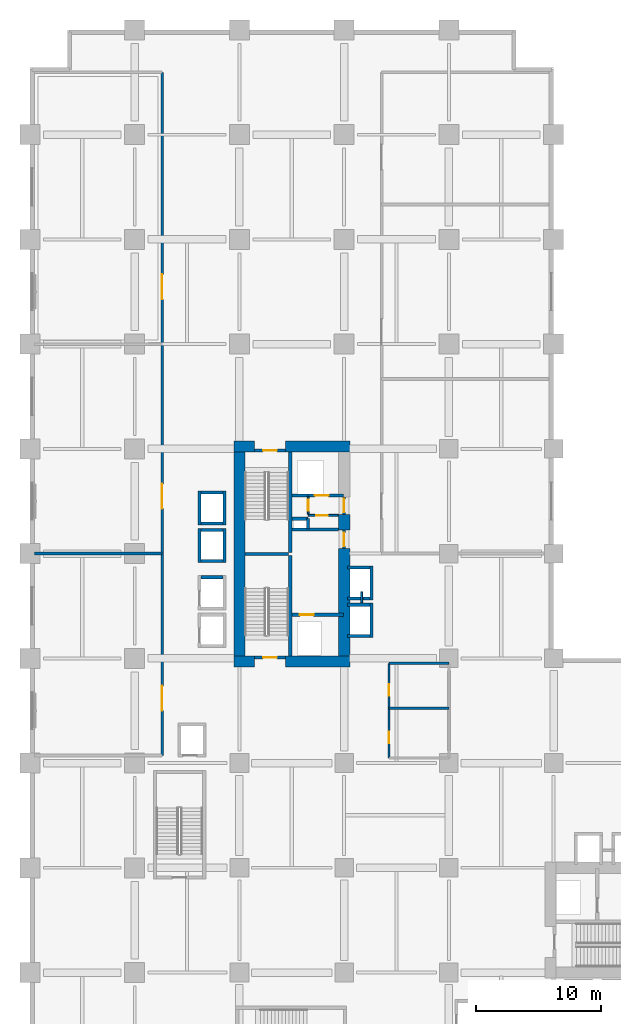
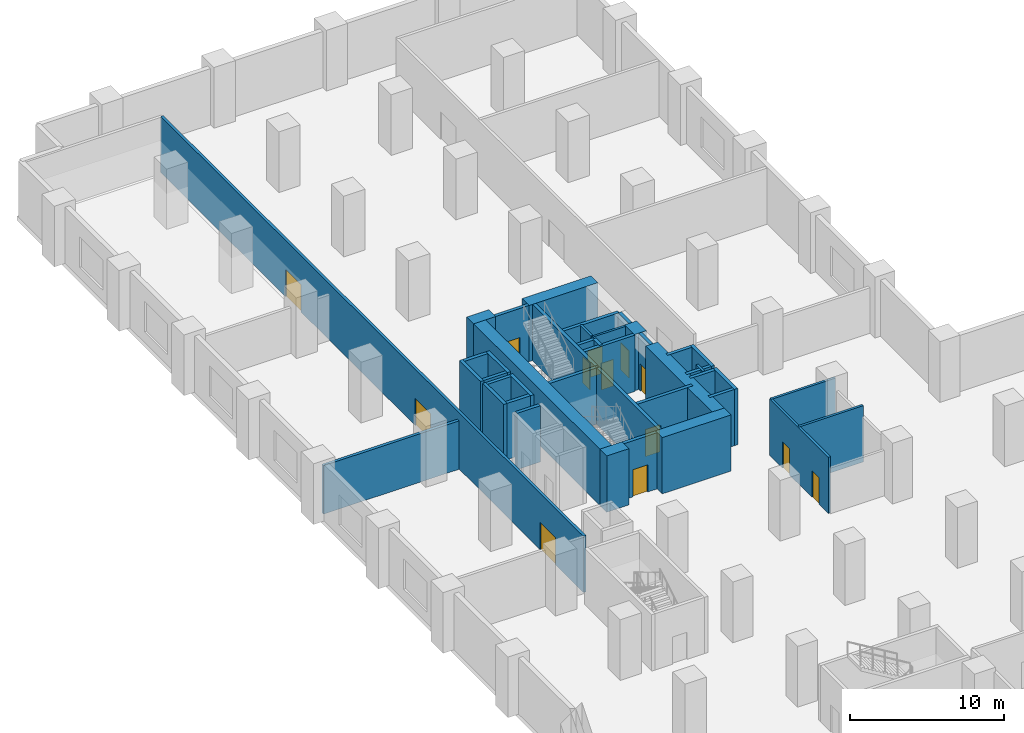
# One storey, part 13 of 22: 42 walls, 13 doors, 13 openings.
"""IFC4 building model written with IfcOpenShell, lengths in metres."""

from ifc_helpers import new_model, si_unit, direction, frame, frame_2d, origin, place, context, subcontext, project, spatial, rectangle, extrude, material, layer, layer_set, type_object, element, fill, save


model = new_model("IFC4")

# Units and contexts
model_context = context("Model", 3, precision=1e-05, world=origin(), true_north=direction((0.0, 1.0)))
body_context = subcontext(model_context, "Body", "Model", "MODEL_VIEW")
ifc_project = project(units=[si_unit("LENGTHUNIT", "METRE"), si_unit("AREAUNIT", "SQUARE_METRE"), si_unit("VOLUMEUNIT", "CUBIC_METRE"), si_unit("PLANEANGLEUNIT", "RADIAN"), si_unit("MASSUNIT", "GRAM", prefix="KILO")], contexts=[model_context])

# Site, building, storey
site_placement = place(None, origin())
site = spatial("IfcSite", under=ifc_project, at=site_placement, CompositionType="ELEMENT")
building_placement = place(site_placement, origin())
building = spatial("IfcBuilding", under=site, at=building_placement, Name="Koriwani Terraces Tower", CompositionType="ELEMENT")
storey_placement = place(building_placement, frame((0.0, 0.0, 6.0)))
storey = spatial("IfcBuildingStorey", under=building, at=storey_placement, Name="L01", CompositionType="ELEMENT", Elevation=6.0)

# Walls
ifc_material_1 = material(Name="Concrete C60/75", Category="concrete")
ifc_layer_1 = layer(ifc_material_1, 0.89990234375, Name="Concrete C60/75")
ifc_layer_set_1 = layer_set([ifc_layer_1], Name="Concrete C60/75")
wall_type_1 = type_object("IfcWallType", Name="WALL_CORE_RC_900", PredefinedType="SHEAR", material=ifc_layer_set_1)
wall_1_placement = place(storey_placement, frame((16.35009765625, 41.75, 0.0), z_axis=(0.0, 0.0, 1.0), x_axis=(1.0, 0.0, 0.0)))
element("IfcWall", 1, at=wall_1_placement, inside=storey, type_object=wall_type_1, Name="L01 West Split Core Shear Wall S1", PredefinedType="SHEAR", context=body_context, shape_type="SweptSolid", body=[
    extrude(rectangle(XDim=1.64990234375, YDim=0.89990234375, at=frame_2d((0.824951171875, 0.0))), origin(), (0.0, 0.0, 1.0), 4.449951171875),
])
wall_2_placement = place(storey_placement, frame((20.5, 41.75, 0.0), z_axis=(0.0, 0.0, 1.0), x_axis=(1.0, 0.0, 0.0)))
element("IfcWall", 2, at=wall_2_placement, inside=storey, type_object=wall_type_1, Name="L01 West Split Core Shear Wall S2", PredefinedType="SHEAR", context=body_context, shape_type="SweptSolid", body=[
    extrude(rectangle(XDim=5.14990234375, YDim=0.89990234375, at=frame_2d((2.574951171875, 0.0))), origin(), (0.0, 0.0, 1.0), 4.449951171875),
])
wall_3_placement = place(storey_placement, frame((16.35009765625, 59.0, 0.0), z_axis=(0.0, 0.0, 1.0), x_axis=(1.0, 0.0, 0.0)))
element("IfcWall", 3, at=wall_3_placement, inside=storey, type_object=wall_type_1, Name="L01 West Split Core Shear Wall N1", PredefinedType="SHEAR", context=body_context, shape_type="SweptSolid", body=[
    extrude(rectangle(XDim=1.64990234375, YDim=0.89990234375, at=frame_2d((0.824951171875, 0.0))), origin(), (0.0, 0.0, 1.0), 4.449951171875),
])
wall_4_placement = place(storey_placement, frame((20.5, 59.0, 0.0), z_axis=(0.0, 0.0, 1.0), x_axis=(1.0, 0.0, 0.0)))
element("IfcWall", 4, at=wall_4_placement, inside=storey, type_object=wall_type_1, Name="L01 West Split Core Shear Wall N2", PredefinedType="SHEAR", context=body_context, shape_type="SweptSolid", body=[
    extrude(rectangle(XDim=5.14990234375, YDim=0.89990234375, at=frame_2d((2.574951171875, 0.0))), origin(), (0.0, 0.0, 1.0), 4.449951171875),
])
wall_5_placement = place(storey_placement, frame((16.800048828125, 42.199951171875, 0.0), z_axis=(0.0, 0.0, 1.0), x_axis=(0.0, 1.0, 0.0)))
element("IfcWall", 5, at=wall_5_placement, inside=storey, type_object=wall_type_1, Name="L01 West Split Core Shear Wall W1", PredefinedType="SHEAR", context=body_context, shape_type="SweptSolid", body=[
    extrude(rectangle(XDim=16.35009765625, YDim=0.89990234375, at=frame_2d((8.175048828125, 0.0))), origin(), (0.0, 0.0, 1.0), 4.449951171875),
])
wall_6_placement = place(storey_placement, frame((25.199951171875, 42.199951171875, 0.0), z_axis=(0.0, 0.0, 1.0), x_axis=(0.0, 1.0, 0.0)))
element("IfcWall", 6, at=wall_6_placement, inside=storey, type_object=wall_type_1, Name="L01 West Split Core Shear Wall E1", PredefinedType="SHEAR", context=body_context, shape_type="SweptSolid", body=[
    extrude(rectangle(XDim=8.60009765625, YDim=0.89990234375, at=frame_2d((4.300048828125, 0.0))), origin(), (0.0, 0.0, 1.0), 4.449951171875),
])
wall_7_placement = place(storey_placement, frame((25.199951171875, 52.280029296875, 0.0), z_axis=(0.0, 0.0, 1.0), x_axis=(0.0, 1.0, 0.0)))
element("IfcWall", 7, at=wall_7_placement, inside=storey, type_object=wall_type_1, Name="L01 West Split Core Shear Wall E2", PredefinedType="SHEAR", context=body_context, shape_type="SweptSolid", body=[
    extrude(rectangle(XDim=1.27001953125, YDim=0.89990234375, at=frame_2d((0.635009765625, 0.0))), origin(), (0.0, 0.0, 1.0), 4.449951171875),
])

# Wall, openings, doors
ifc_material_2 = material(Name="Autoclaved Cellular Concrete Blockwork", Category="masonry")
ifc_layer_2 = layer(ifc_material_2, 0.199951171875, Name="Autoclaved Cellular Concrete Blockwork")
ifc_layer_set_2 = layer_set([ifc_layer_2], Name="Autoclaved Cellular Concrete Blockwork")
wall_type_2 = type_object("IfcWallType", Name="WALL_CORRIDOR_200", PredefinedType="PARTITIONING", material=ifc_layer_set_2)
wall_8_placement = place(storey_placement, frame((10.60009765625, 34.199951171875, 0.0), z_axis=(0.0, 0.0, 1.0), x_axis=(0.0, 1.0, 0.0)))
wall_8 = element("IfcWall", 8, at=wall_8_placement, inside=storey, type_object=wall_type_2, Name="L01 Interior Wall WPOD-W-L01-0", PredefinedType="PARTITIONING", context=body_context, shape_type="SweptSolid", body=[
    extrude(rectangle(XDim=54.800048828125, YDim=0.199951171875, at=frame_2d((27.39990234375, 0.0))), origin(), (0.0, 0.0, 1.0), 4.449951171875),
])
opening_1_placement = place(wall_8_placement, frame((3.60009765625, 0.0, 0.0)))
opening_1 = element("IfcOpeningElement", 9, at=opening_1_placement, cuts=wall_8, Name="Opening D-02", PredefinedType="OPENING", context=body_context, shape_type="SweptSolid", body=[
    extrude(rectangle(XDim=2.0, YDim=2.14990234375, at=frame_2d((1.0, 1.074951171875))), frame((0.0, 0.10986328125, 0.0), z_axis=(0.0, -1.0, 0.0), x_axis=(1.0, 0.0, 0.0)), (0.0, 0.0, 1.0), 0.219970703125),
])
opening_2_placement = place(wall_8_placement, frame((19.800048828125, 0.0, 0.0)))
opening_2 = element("IfcOpeningElement", 10, at=opening_2_placement, cuts=wall_8, Name="Opening D-02", PredefinedType="OPENING", context=body_context, shape_type="SweptSolid", body=[
    extrude(rectangle(XDim=2.0, YDim=2.14990234375, at=frame_2d((1.0, 1.074951171875))), frame((0.0, 0.10986328125, 0.0), z_axis=(0.0, -1.0, 0.0), x_axis=(1.0, 0.0, 0.0)), (0.0, 0.0, 1.0), 0.219970703125),
])
opening_3_placement = place(wall_8_placement, frame((36.60009765625, 0.0, 0.0)))
opening_3 = element("IfcOpeningElement", 11, at=opening_3_placement, cuts=wall_8, Name="Opening D-02", PredefinedType="OPENING", context=body_context, shape_type="SweptSolid", body=[
    extrude(rectangle(XDim=2.0, YDim=2.14990234375, at=frame_2d((1.0, 1.074951171875))), frame((0.0, 0.10986328125, 0.0), z_axis=(0.0, -1.0, 0.0), x_axis=(1.0, 0.0, 0.0)), (0.0, 0.0, 1.0), 0.219970703125),
])
ifc_material_3 = material(Name="Anodised Bronze Aluminium", Category="aluminium")
door_type_1 = type_object("IfcDoorType", Name="DOOR_ENTRANCE_DOUBLE_2000X2400", OperationType="NOTDEFINED", PredefinedType="DOOR", material=ifc_material_3)
door_1_placement = place(opening_1_placement, origin())
door_1 = element("IfcDoor", 12, at=door_1_placement, inside=storey, type_object=door_type_1, Name="L01 West Galleria Unit 1 Door", OperationType="SINGLE_SWING_LEFT", OverallHeight=2.14990234375, OverallWidth=2.0, PredefinedType="DOOR", context=body_context, shape_type="SweptSolid", body=[
    extrude(rectangle(XDim=2.0, YDim=2.14990234375, at=frame_2d((1.0, 1.074951171875))), frame((0.0, 0.02490234375, 0.0), z_axis=(0.0, -1.0, 0.0), x_axis=(1.0, 0.0, 0.0)), (0.0, 0.0, 1.0), 0.050048828125),
])
fill(opening_1, door_1)
door_2_placement = place(opening_2_placement, origin())
door_2 = element("IfcDoor", 13, at=door_2_placement, inside=storey, type_object=door_type_1, Name="L01 West Galleria Unit 2 Door", OperationType="SINGLE_SWING_RIGHT", OverallHeight=2.14990234375, OverallWidth=2.0, PredefinedType="DOOR", context=body_context, shape_type="SweptSolid", body=[
    extrude(rectangle(XDim=2.0, YDim=2.14990234375, at=frame_2d((1.0, 1.074951171875))), frame((0.0, 0.02490234375, 0.0), z_axis=(0.0, -1.0, 0.0), x_axis=(1.0, 0.0, 0.0)), (0.0, 0.0, 1.0), 0.050048828125),
])
fill(opening_2, door_2)
door_3_placement = place(opening_3_placement, origin())
door_3 = element("IfcDoor", 14, at=door_3_placement, inside=storey, type_object=door_type_1, Name="L01 West Galleria Unit 3 Door", OperationType="SINGLE_SWING_LEFT", OverallHeight=2.14990234375, OverallWidth=2.0, PredefinedType="DOOR", context=body_context, shape_type="SweptSolid", body=[
    extrude(rectangle(XDim=2.0, YDim=2.14990234375, at=frame_2d((1.0, 1.074951171875))), frame((0.0, 0.02490234375, 0.0), z_axis=(0.0, -1.0, 0.0), x_axis=(1.0, 0.0, 0.0)), (0.0, 0.0, 1.0), 0.050048828125),
])
fill(opening_3, door_3)

# Wall
ifc_layer_3 = layer(ifc_material_2, 0.219970703125, Name="Autoclaved Cellular Concrete Blockwork")
ifc_layer_set_3 = layer_set([ifc_layer_3], Name="Autoclaved Cellular Concrete Blockwork")
wall_type_3 = type_object("IfcWallType", Name="WALL_DEMISING_220", PredefinedType="PARTITIONING", material=ifc_layer_set_3)
wall_9_placement = place(storey_placement, frame((0.35009765625, 50.39990234375, 0.0), z_axis=(0.0, 0.0, 1.0), x_axis=(1.0, 0.0, 0.0)))
element("IfcWall", 15, at=wall_9_placement, inside=storey, type_object=wall_type_3, Name="L01 Interior Wall WPOD-WD-L01-1", PredefinedType="PARTITIONING", context=body_context, shape_type="SweptSolid", body=[
    extrude(rectangle(XDim=10.25, YDim=0.219970703125, at=frame_2d((5.125, 0.0))), origin(), (0.0, 0.0, 1.0), 3.8330078125),
])

# Wall, openings, doors
ifc_material_4 = material(Name="Fire-Rated Acoustic Gypsum Partition", Category="masonry")
ifc_layer_4 = layer(ifc_material_4, 0.179931640625, Name="Fire-Rated Acoustic Gypsum Partition")
ifc_layer_set_4 = layer_set([ifc_layer_4], Name="Fire-Rated Acoustic Gypsum Partition")
wall_type_4 = type_object("IfcWallType", Name="WALL_PLUMBING_180", PredefinedType="PLUMBINGWALL", material=ifc_layer_set_4)
wall_10_placement = place(storey_placement, frame((28.800048828125, 34.0, 0.0), z_axis=(0.0, 0.0, 1.0), x_axis=(0.0, 1.0, 0.0)))
wall_10 = element("IfcWall", 16, at=wall_10_placement, inside=storey, type_object=wall_type_4, Name="L01 Interior Wall WPOD-WC-L01", PredefinedType="PLUMBINGWALL", context=body_context, shape_type="SweptSolid", body=[
    extrude(rectangle(XDim=7.60009765625, YDim=0.179931640625, at=frame_2d((3.800048828125, 0.0))), origin(), (0.0, 0.0, 1.0), 4.449951171875),
])
opening_4_placement = place(wall_10_placement, frame((1.199951171875, 0.0, 0.0)))
opening_4 = element("IfcOpeningElement", 17, at=opening_4_placement, cuts=wall_10, Name="Opening D-06", PredefinedType="OPENING", context=body_context, shape_type="SweptSolid", body=[
    extrude(rectangle(XDim=0.919921875, YDim=2.10009765625, at=frame_2d((0.4599609375, 1.050048828125))), frame((0.0, 0.10009765625, 0.0), z_axis=(0.0, -1.0, 0.0), x_axis=(1.0, 0.0, 0.0)), (0.0, 0.0, 1.0), 0.199951171875),
])
opening_5_placement = place(wall_10_placement, frame((5.0, 0.0, 0.0)))
opening_5 = element("IfcOpeningElement", 18, at=opening_5_placement, cuts=wall_10, Name="Opening D-06", PredefinedType="OPENING", context=body_context, shape_type="SweptSolid", body=[
    extrude(rectangle(XDim=0.919921875, YDim=2.10009765625, at=frame_2d((0.4599609375, 1.050048828125))), frame((0.0, 0.10009765625, 0.0), z_axis=(0.0, -1.0, 0.0), x_axis=(1.0, 0.0, 0.0)), (0.0, 0.0, 1.0), 0.199951171875),
])
ifc_material_5 = material(Name="Architectural Oak Fire Door", Category="wood")
door_type_2 = type_object("IfcDoorType", Name="DOOR_ROOM_INT_920X2100", OperationType="NOTDEFINED", PredefinedType="DOOR", material=ifc_material_5)
door_4_placement = place(opening_4_placement, origin())
door_4 = element("IfcDoor", 19, at=door_4_placement, inside=storey, type_object=door_type_2, Name="L01 Public Washroom WC Door", OperationType="SINGLE_SWING_LEFT", OverallHeight=2.10009765625, OverallWidth=0.919921875, PredefinedType="DOOR", context=body_context, shape_type="SweptSolid", body=[
    extrude(rectangle(XDim=0.919921875, YDim=2.10009765625, at=frame_2d((0.4599609375, 1.050048828125))), frame((0.0, 0.02490234375, 0.0), z_axis=(0.0, -1.0, 0.0), x_axis=(1.0, 0.0, 0.0)), (0.0, 0.0, 1.0), 0.050048828125),
])
fill(opening_4, door_4)
door_5_placement = place(opening_5_placement, origin())
door_5 = element("IfcDoor", 20, at=door_5_placement, inside=storey, type_object=door_type_2, Name="L01 Accessible WC Door", OperationType="SINGLE_SWING_RIGHT", OverallHeight=2.10009765625, OverallWidth=0.919921875, PredefinedType="DOOR", context=body_context, shape_type="SweptSolid", body=[
    extrude(rectangle(XDim=0.919921875, YDim=2.10009765625, at=frame_2d((0.4599609375, 1.050048828125))), frame((0.0, 0.02490234375, 0.0), z_axis=(0.0, -1.0, 0.0), x_axis=(1.0, 0.0, 0.0)), (0.0, 0.0, 1.0), 0.050048828125),
])
fill(opening_5, door_5)

# Walls
for number, where, z_axis, x_axis, name in (
    (21, (28.800048828125, 38.0, 0.0), (0.0, 0.0, 1.0), (1.0, 0.0, 0.0), "L01 Interior Wall WPOD-WCM-L01"),
    (22, (28.800048828125, 41.60009765625, 0.0), (0.0, 0.0, 1.0), (1.0, 0.0, 0.0), "L01 Interior Wall WPOD-WCN-L01"),
):
    element("IfcWall", number, at=place(storey_placement, frame(where, z_axis=z_axis, x_axis=x_axis)), inside=storey, type_object=wall_type_4, Name=name, PredefinedType="PLUMBINGWALL", context=body_context, shape_type="SweptSolid", body=[
        extrude(rectangle(XDim=4.800048828125, YDim=0.179931640625, at=frame_2d((2.39990234375, 0.0))), origin(), (0.0, 0.0, 1.0), 4.449951171875),
    ])
ifc_material_6 = material(Name="Concrete C40/50", Category="concrete")
ifc_layer_5 = layer(ifc_material_6, 0.25, Name="Concrete C40/50")
ifc_layer_set_5 = layer_set([ifc_layer_5], Name="Concrete C40/50")
wall_type_5 = type_object("IfcWallType", Name="WALL_SHAFT_RATED_250", PredefinedType="SOLIDWALL", material=ifc_layer_set_5)
for number, where, z_axis, x_axis, name in (
    (23, (20.875, 42.199951171875, 0.0), (0.0, 0.0, 1.0), (0.0, 1.0, 0.0), "L01 West Split Core Web Wall MID1"),
    (24, (20.875, 50.5, 0.0), (0.0, 0.0, 1.0), (0.0, 1.0, 0.0), "L01 West Split Core Web Wall MID2"),
):
    element("IfcWall", number, at=place(storey_placement, frame(where, z_axis=z_axis, x_axis=x_axis)), inside=storey, type_object=wall_type_5, Name=name, PredefinedType="SOLIDWALL", context=body_context, shape_type="SweptSolid", body=[
        extrude(rectangle(XDim=8.050048828125, YDim=0.25, at=frame_2d((4.02490234375, 0.0))), origin(), (0.0, 0.0, 1.0), 4.449951171875),
    ])
wall_11_placement = place(storey_placement, frame((17.25, 50.375, 0.0), z_axis=(0.0, 0.0, 1.0), x_axis=(1.0, 0.0, 0.0)))
element("IfcWall", 25, at=wall_11_placement, inside=storey, type_object=wall_type_5, Name="L01 West Split Core Stair Dividing Wall", PredefinedType="SOLIDWALL", context=body_context, shape_type="SweptSolid", body=[
    extrude(rectangle(XDim=3.5, YDim=0.25, at=frame_2d((1.75, 0.0))), origin(), (0.0, 0.0, 1.0), 4.449951171875),
])

# Wall, opening, door
wall_12_placement = place(storey_placement, frame((18.0, 42.074951171875, 0.0), z_axis=(0.0, 0.0, 1.0), x_axis=(1.0, 0.0, 0.0)))
wall_12 = element("IfcWall", 26, at=wall_12_placement, inside=storey, type_object=wall_type_5, Name="L01 Interior Wall WIN-CW-L01-STS", PredefinedType="SOLIDWALL", context=body_context, shape_type="SweptSolid", body=[
    extrude(rectangle(XDim=2.5, YDim=0.25, at=frame_2d((1.25, 0.0))), origin(), (0.0, 0.0, 1.0), 4.449951171875),
])
opening_6_placement = place(wall_12_placement, frame((0.699951171875, 0.0, 0.0)))
opening_6 = element("IfcOpeningElement", 27, at=opening_6_placement, cuts=wall_12, Name="Opening D-03", PredefinedType="OPENING", context=body_context, shape_type="SweptSolid", body=[
    extrude(rectangle(XDim=1.10009765625, YDim=2.14990234375, at=frame_2d((0.550048828125, 1.074951171875))), frame((0.0, 0.135009765625, 0.0), z_axis=(0.0, -1.0, 0.0), x_axis=(1.0, 0.0, 0.0)), (0.0, 0.0, 1.0), 0.27001953125),
])
ifc_material_7 = material(Name="Steel ASTM A572 Grade 50", Category="steel")
door_type_3 = type_object("IfcDoorType", Name="DOOR_STAIR_FIRE_1100X2150", OperationType="NOTDEFINED", PredefinedType="DOOR", material=ifc_material_7)
door_6_placement = place(opening_6_placement, origin())
door_6 = element("IfcDoor", 28, at=door_6_placement, inside=storey, type_object=door_type_3, Name="L01 Exit Stair ST-W1 Door", OperationType="SINGLE_SWING_LEFT", OverallHeight=2.14990234375, OverallWidth=1.10009765625, PredefinedType="DOOR", context=body_context, shape_type="SweptSolid", body=[
    extrude(rectangle(XDim=1.10009765625, YDim=2.14990234375, at=frame_2d((0.550048828125, 1.074951171875))), frame((0.0, 0.02490234375, 0.0), z_axis=(0.0, -1.0, 0.0), x_axis=(1.0, 0.0, 0.0)), (0.0, 0.0, 1.0), 0.050048828125),
])
fill(opening_6, door_6)

wall_13_placement = place(storey_placement, frame((18.0, 58.675048828125, 0.0), z_axis=(0.0, 0.0, 1.0), x_axis=(1.0, 0.0, 0.0)))
wall_13 = element("IfcWall", 29, at=wall_13_placement, inside=storey, type_object=wall_type_5, Name="L01 Interior Wall WIN-CW-L01-STN", PredefinedType="SOLIDWALL", context=body_context, shape_type="SweptSolid", body=[
    extrude(rectangle(XDim=2.5, YDim=0.25, at=frame_2d((1.25, 0.0))), origin(), (0.0, 0.0, 1.0), 4.449951171875),
])
opening_7_placement = place(wall_13_placement, frame((0.699951171875, 0.0, 0.0)))
opening_7 = element("IfcOpeningElement", 30, at=opening_7_placement, cuts=wall_13, Name="Opening D-03", PredefinedType="OPENING", context=body_context, shape_type="SweptSolid", body=[
    extrude(rectangle(XDim=1.10009765625, YDim=2.14990234375, at=frame_2d((0.550048828125, 1.074951171875))), frame((0.0, 0.135009765625, 0.0), z_axis=(0.0, -1.0, 0.0), x_axis=(1.0, 0.0, 0.0)), (0.0, 0.0, 1.0), 0.27001953125),
])
door_7_placement = place(opening_7_placement, origin())
door_7 = element("IfcDoor", 31, at=door_7_placement, inside=storey, type_object=door_type_3, Name="L01 Exit Stair ST-W2 Door", OperationType="SINGLE_SWING_RIGHT", OverallHeight=2.14990234375, OverallWidth=1.10009765625, PredefinedType="DOOR", context=body_context, shape_type="SweptSolid", body=[
    extrude(rectangle(XDim=1.10009765625, YDim=2.14990234375, at=frame_2d((0.550048828125, 1.074951171875))), frame((0.0, 0.02490234375, 0.0), z_axis=(0.0, -1.0, 0.0), x_axis=(1.0, 0.0, 0.0)), (0.0, 0.0, 1.0), 0.050048828125),
])
fill(opening_7, door_7)

wall_14_placement = place(storey_placement, frame((21.0, 45.5, 0.0), z_axis=(0.0, 0.0, 1.0), x_axis=(1.0, 0.0, 0.0)))
wall_14 = element("IfcWall", 32, at=wall_14_placement, inside=storey, type_object=wall_type_5, Name="L01 Interior Wall WIN-CW-L01-FE", PredefinedType="SOLIDWALL", context=body_context, shape_type="SweptSolid", body=[
    extrude(rectangle(XDim=4.14990234375, YDim=0.25, at=frame_2d((2.074951171875, 0.0))), origin(), (0.0, 0.0, 1.0), 4.449951171875),
])
opening_8_placement = place(wall_14_placement, frame((0.64990234375, 0.0, 0.0)))
opening_8 = element("IfcOpeningElement", 33, at=opening_8_placement, cuts=wall_14, Name="Opening LD-01", PredefinedType="OPENING", context=body_context, shape_type="SweptSolid", body=[
    extrude(rectangle(XDim=1.10009765625, YDim=2.14990234375, at=frame_2d((0.550048828125, 1.074951171875))), frame((0.0, 0.135009765625, 0.0), z_axis=(0.0, -1.0, 0.0), x_axis=(1.0, 0.0, 0.0)), (0.0, 0.0, 1.0), 0.27001953125),
])
door_type_4 = type_object("IfcDoorType", Name="DOOR_LIFT_LANDING_1100X2200", OperationType="NOTDEFINED", PredefinedType="DOOR", material=ifc_material_7)
door_8_placement = place(opening_8_placement, origin())
door_8 = element("IfcDoor", 34, at=door_8_placement, inside=storey, type_object=door_type_4, Name="L01 Firefighting Lift FE-01 Landing Door", OperationType="SLIDING_TO_LEFT", OverallHeight=2.14990234375, OverallWidth=1.10009765625, PredefinedType="DOOR", context=body_context, shape_type="SweptSolid", body=[
    extrude(rectangle(XDim=1.10009765625, YDim=2.14990234375, at=frame_2d((0.550048828125, 1.074951171875))), frame((0.0, 0.02490234375, 0.0), z_axis=(0.0, -1.0, 0.0), x_axis=(1.0, 0.0, 0.0)), (0.0, 0.0, 1.0), 0.050048828125),
])
fill(opening_8, door_8)

wall_15_placement = place(storey_placement, frame((25.199951171875, 50.800048828125, 0.0), z_axis=(0.0, 0.0, 1.0), x_axis=(0.0, 1.0, 0.0)))
wall_15 = element("IfcWall", 35, at=wall_15_placement, inside=storey, type_object=wall_type_5, Name="L01 Interior Wall WIN-CW-L01-EP", PredefinedType="SOLIDWALL", context=body_context, shape_type="SweptSolid", body=[
    extrude(rectangle(XDim=1.47998046875, YDim=0.25, at=frame_2d((0.739990234375, 0.0))), origin(), (0.0, 0.0, 1.0), 4.449951171875),
])
opening_9_placement = place(wall_15_placement, frame((0.179931640625, 0.0, 0.0)))
opening_9 = element("IfcOpeningElement", 36, at=opening_9_placement, cuts=wall_15, Name="Opening D-03", PredefinedType="OPENING", context=body_context, shape_type="SweptSolid", body=[
    extrude(rectangle(XDim=1.10009765625, YDim=2.14990234375, at=frame_2d((0.550048828125, 1.074951171875))), frame((0.0, 0.135009765625, 0.0), z_axis=(0.0, -1.0, 0.0), x_axis=(1.0, 0.0, 0.0)), (0.0, 0.0, 1.0), 0.27001953125),
])
door_9_placement = place(opening_9_placement, origin())
door_9 = element("IfcDoor", 37, at=door_9_placement, inside=storey, type_object=door_type_3, Name="L01 West Firefighting Lobby Door", OperationType="SINGLE_SWING_LEFT", OverallHeight=2.14990234375, OverallWidth=1.10009765625, PredefinedType="DOOR", context=body_context, shape_type="SweptSolid", body=[
    extrude(rectangle(XDim=1.10009765625, YDim=2.14990234375, at=frame_2d((0.550048828125, 1.074951171875))), frame((0.0, 0.02490234375, 0.0), z_axis=(0.0, -1.0, 0.0), x_axis=(1.0, 0.0, 0.0)), (0.0, 0.0, 1.0), 0.050048828125),
])
fill(opening_9, door_9)

# Wall
wall_16_placement = place(storey_placement, frame((21.0, 52.340087890625, 0.0), z_axis=(0.0, 0.0, 1.0), x_axis=(1.0, 0.0, 0.0)))
element("IfcWall", 38, at=wall_16_placement, inside=storey, type_object=wall_type_5, Name="L01 Interior Wall WIN-CW-L01-FFN", PredefinedType="SOLIDWALL", context=body_context, shape_type="SweptSolid", body=[
    extrude(rectangle(XDim=3.75, YDim=0.25, at=frame_2d((1.875, 0.0))), origin(), (0.0, 0.0, 1.0), 4.449951171875),
])

# Wall, opening, door
wall_17_placement = place(storey_placement, frame((21.0, 55.050048828125, 0.0), z_axis=(0.0, 0.0, 1.0), x_axis=(1.0, 0.0, 0.0)))
wall_17 = element("IfcWall", 39, at=wall_17_placement, inside=storey, type_object=wall_type_5, Name="L01 Interior Wall WIN-CW-L01-SE", PredefinedType="SOLIDWALL", context=body_context, shape_type="SweptSolid", body=[
    extrude(rectangle(XDim=4.14990234375, YDim=0.25, at=frame_2d((2.074951171875, 0.0))), origin(), (0.0, 0.0, 1.0), 4.449951171875),
])
opening_10_placement = place(wall_17_placement, frame((1.85009765625, 0.0, 0.0)))
opening_10 = element("IfcOpeningElement", 40, at=opening_10_placement, cuts=wall_17, Name="Opening LD-01", PredefinedType="OPENING", context=body_context, shape_type="SweptSolid", body=[
    extrude(rectangle(XDim=1.10009765625, YDim=2.14990234375, at=frame_2d((0.550048828125, 1.074951171875))), frame((0.0, 0.135009765625, 0.0), z_axis=(0.0, -1.0, 0.0), x_axis=(1.0, 0.0, 0.0)), (0.0, 0.0, 1.0), 0.27001953125),
])
door_10_placement = place(opening_10_placement, origin())
door_10 = element("IfcDoor", 41, at=door_10_placement, inside=storey, type_object=door_type_4, Name="L01 Goods Lift SE-01 Landing Door", OperationType="SLIDING_TO_LEFT", OverallHeight=2.14990234375, OverallWidth=1.10009765625, PredefinedType="DOOR", context=body_context, shape_type="SweptSolid", body=[
    extrude(rectangle(XDim=1.10009765625, YDim=2.14990234375, at=frame_2d((0.550048828125, 1.074951171875))), frame((0.0, 0.02490234375, 0.0), z_axis=(0.0, -1.0, 0.0), x_axis=(1.0, 0.0, 0.0)), (0.0, 0.0, 1.0), 0.050048828125),
])
fill(opening_10, door_10)

wall_18_placement = place(storey_placement, frame((25.199951171875, 53.550048828125, 0.0), z_axis=(0.0, 0.0, 1.0), x_axis=(0.0, 1.0, 0.0)))
wall_18 = element("IfcWall", 42, at=wall_18_placement, inside=storey, type_object=wall_type_5, Name="L01 Interior Wall WIN-CW-L01-EP2", PredefinedType="SOLIDWALL", context=body_context, shape_type="SweptSolid", body=[
    extrude(rectangle(XDim=1.39990234375, YDim=0.25, at=frame_2d((0.699951171875, 0.0))), origin(), (0.0, 0.0, 1.0), 4.449951171875),
])
opening_11_placement = place(wall_18_placement, frame((0.14990234375, 0.0, 0.0)))
opening_11 = element("IfcOpeningElement", 43, at=opening_11_placement, cuts=wall_18, Name="Opening D-03", PredefinedType="OPENING", context=body_context, shape_type="SweptSolid", body=[
    extrude(rectangle(XDim=1.10009765625, YDim=2.14990234375, at=frame_2d((0.550048828125, 1.074951171875))), frame((0.0, 0.135009765625, 0.0), z_axis=(0.0, -1.0, 0.0), x_axis=(1.0, 0.0, 0.0)), (0.0, 0.0, 1.0), 0.27001953125),
])
door_11_placement = place(opening_11_placement, origin())
door_11 = element("IfcDoor", 44, at=door_11_placement, inside=storey, type_object=door_type_3, Name="L01 West Goods Lift Lobby Door", OperationType="SINGLE_SWING_RIGHT", OverallHeight=2.14990234375, OverallWidth=1.10009765625, PredefinedType="DOOR", context=body_context, shape_type="SweptSolid", body=[
    extrude(rectangle(XDim=1.10009765625, YDim=2.14990234375, at=frame_2d((0.550048828125, 1.074951171875))), frame((0.0, 0.02490234375, 0.0), z_axis=(0.0, -1.0, 0.0), x_axis=(1.0, 0.0, 0.0)), (0.0, 0.0, 1.0), 0.050048828125),
])
fill(opening_11, door_11)

# Walls
wall_19_placement = place(storey_placement, frame((21.0, 53.199951171875, 0.0), z_axis=(0.0, 0.0, 1.0), x_axis=(1.0, 0.0, 0.0)))
element("IfcWall", 45, at=wall_19_placement, inside=storey, type_object=wall_type_5, Name="L01 Interior Wall WIN-CW-L01-RS1", PredefinedType="SOLIDWALL", context=body_context, shape_type="SweptSolid", body=[
    extrude(rectangle(XDim=1.300048828125, YDim=0.25, at=frame_2d((0.64990234375, 0.0))), origin(), (0.0, 0.0, 1.0), 4.449951171875),
])
wall_20_placement = place(storey_placement, frame((22.300048828125, 52.360107421875, 0.0), z_axis=(0.0, 0.0, 1.0), x_axis=(0.0, 1.0, 0.0)))
element("IfcWall", 46, at=wall_20_placement, inside=storey, type_object=wall_type_5, Name="L01 Interior Wall WIN-CW-L01-RS2", PredefinedType="SOLIDWALL", context=body_context, shape_type="SweptSolid", body=[
    extrude(rectangle(XDim=0.83984375, YDim=0.25, at=frame_2d((0.419921875, 0.0))), origin(), (0.0, 0.0, 1.0), 4.449951171875),
])
wall_21_placement = place(storey_placement, frame((13.72509765625, 48.5, 0.0), z_axis=(0.0, 0.0, 1.0), x_axis=(1.0, 0.0, 0.0)))
element("IfcWall", 47, at=wall_21_placement, inside=storey, type_object=wall_type_5, Name="L01 Interior Wall WIN-LF-PE-L2-L01-N", PredefinedType="SOLIDWALL", context=body_context, shape_type="SweptSolid", body=[
    extrude(rectangle(XDim=1.75, YDim=0.25, at=frame_2d((0.875, 0.0))), origin(), (0.0, 0.0, 1.0), 4.449951171875),
])
for number, where, z_axis, x_axis, name in (
    (48, (13.60009765625, 49.675048828125, 0.0), (0.0, 0.0, 1.0), (0.0, 1.0, 0.0), "L01 Interior Wall WIN-LF-PE-M1-L01-F"),
    (49, (15.60009765625, 49.675048828125, 0.0), (0.0, 0.0, 1.0), (0.0, 1.0, 0.0), "L01 Interior Wall WIN-LF-PE-M1-L01-B"),
):
    element("IfcWall", number, at=place(storey_placement, frame(where, z_axis=z_axis, x_axis=x_axis)), inside=storey, type_object=wall_type_5, Name=name, PredefinedType="SOLIDWALL", context=body_context, shape_type="SweptSolid", body=[
        extrude(rectangle(XDim=2.75, YDim=0.25, at=frame_2d((1.375, 0.0))), origin(), (0.0, 0.0, 1.0), 4.449951171875),
    ])
for number, where, z_axis, x_axis, name in (
    (50, (13.72509765625, 49.800048828125, 0.0), (0.0, 0.0, 1.0), (1.0, 0.0, 0.0), "L01 Interior Wall WIN-LF-PE-M1-L01-S"),
    (51, (13.72509765625, 52.300048828125, 0.0), (0.0, 0.0, 1.0), (1.0, 0.0, 0.0), "L01 Interior Wall WIN-LF-PE-M1-L01-N"),
):
    element("IfcWall", number, at=place(storey_placement, frame(where, z_axis=z_axis, x_axis=x_axis)), inside=storey, type_object=wall_type_5, Name=name, PredefinedType="SOLIDWALL", context=body_context, shape_type="SweptSolid", body=[
        extrude(rectangle(XDim=1.75, YDim=0.25, at=frame_2d((0.875, 0.0))), origin(), (0.0, 0.0, 1.0), 4.449951171875),
    ])
for number, where, z_axis, x_axis, name in (
    (52, (13.60009765625, 52.675048828125, 0.0), (0.0, 0.0, 1.0), (0.0, 1.0, 0.0), "L01 Interior Wall WIN-LF-PE-M2-L01-F"),
    (53, (15.60009765625, 52.675048828125, 0.0), (0.0, 0.0, 1.0), (0.0, 1.0, 0.0), "L01 Interior Wall WIN-LF-PE-M2-L01-B"),
):
    element("IfcWall", number, at=place(storey_placement, frame(where, z_axis=z_axis, x_axis=x_axis)), inside=storey, type_object=wall_type_5, Name=name, PredefinedType="SOLIDWALL", context=body_context, shape_type="SweptSolid", body=[
        extrude(rectangle(XDim=2.75, YDim=0.25, at=frame_2d((1.375, 0.0))), origin(), (0.0, 0.0, 1.0), 4.449951171875),
    ])
for number, where, z_axis, x_axis, name in (
    (54, (13.72509765625, 52.800048828125, 0.0), (0.0, 0.0, 1.0), (1.0, 0.0, 0.0), "L01 Interior Wall WIN-LF-PE-M2-L01-S"),
    (55, (13.72509765625, 55.300048828125, 0.0), (0.0, 0.0, 1.0), (1.0, 0.0, 0.0), "L01 Interior Wall WIN-LF-PE-M2-L01-N"),
):
    element("IfcWall", number, at=place(storey_placement, frame(where, z_axis=z_axis, x_axis=x_axis)), inside=storey, type_object=wall_type_5, Name=name, PredefinedType="SOLIDWALL", context=body_context, shape_type="SweptSolid", body=[
        extrude(rectangle(XDim=1.75, YDim=0.25, at=frame_2d((0.875, 0.0))), origin(), (0.0, 0.0, 1.0), 4.449951171875),
    ])
wall_22_placement = place(storey_placement, frame((27.39990234375, 43.675048828125, 0.0), z_axis=(0.0, 0.0, 1.0), x_axis=(0.0, 1.0, 0.0)))
element("IfcWall", 56, at=wall_22_placement, inside=storey, type_object=wall_type_5, Name="L01 Interior Wall WIN-LF-PE-H1-L01-F", PredefinedType="SOLIDWALL", context=body_context, shape_type="SweptSolid", body=[
    extrude(rectangle(XDim=2.75, YDim=0.25, at=frame_2d((1.375, 0.0))), origin(), (0.0, 0.0, 1.0), 4.449951171875),
])
for number, where, z_axis, x_axis, name in (
    (57, (25.449951171875, 43.800048828125, 0.0), (0.0, 0.0, 1.0), (1.0, 0.0, 0.0), "L01 Interior Wall WIN-LF-PE-H1-L01-S"),
    (58, (25.449951171875, 46.300048828125, 0.0), (0.0, 0.0, 1.0), (1.0, 0.0, 0.0), "L01 Interior Wall WIN-LF-PE-H1-L01-N"),
):
    element("IfcWall", number, at=place(storey_placement, frame(where, z_axis=z_axis, x_axis=x_axis)), inside=storey, type_object=wall_type_5, Name=name, PredefinedType="SOLIDWALL", context=body_context, shape_type="SweptSolid", body=[
        extrude(rectangle(XDim=1.824951171875, YDim=0.25, at=frame_2d((0.91259765625, 0.0))), origin(), (0.0, 0.0, 1.0), 4.449951171875),
    ])
wall_23_placement = place(storey_placement, frame((27.39990234375, 46.675048828125, 0.0), z_axis=(0.0, 0.0, 1.0), x_axis=(0.0, 1.0, 0.0)))
element("IfcWall", 59, at=wall_23_placement, inside=storey, type_object=wall_type_5, Name="L01 Interior Wall WIN-LF-PE-H2-L01-F", PredefinedType="SOLIDWALL", context=body_context, shape_type="SweptSolid", body=[
    extrude(rectangle(XDim=2.75, YDim=0.25, at=frame_2d((1.375, 0.0))), origin(), (0.0, 0.0, 1.0), 4.449951171875),
])
for number, where, z_axis, x_axis, name in (
    (60, (25.449951171875, 46.800048828125, 0.0), (0.0, 0.0, 1.0), (1.0, 0.0, 0.0), "L01 Interior Wall WIN-LF-PE-H2-L01-S"),
    (61, (25.449951171875, 49.300048828125, 0.0), (0.0, 0.0, 1.0), (1.0, 0.0, 0.0), "L01 Interior Wall WIN-LF-PE-H2-L01-N"),
):
    element("IfcWall", number, at=place(storey_placement, frame(where, z_axis=z_axis, x_axis=x_axis)), inside=storey, type_object=wall_type_5, Name=name, PredefinedType="SOLIDWALL", context=body_context, shape_type="SweptSolid", body=[
        extrude(rectangle(XDim=1.824951171875, YDim=0.25, at=frame_2d((0.91259765625, 0.0))), origin(), (0.0, 0.0, 1.0), 4.449951171875),
    ])

# Wall, opening, door
ifc_layer_6 = layer(ifc_material_4, 0.159912109375, Name="Fire-Rated Acoustic Gypsum Partition")
ifc_layer_set_6 = layer_set([ifc_layer_6], Name="Fire-Rated Acoustic Gypsum Partition")
wall_type_6 = type_object("IfcWallType", Name="WALL_SUITE_160", PredefinedType="PARTITIONING", material=ifc_layer_set_6)
wall_24_placement = place(storey_placement, frame((22.320068359375, 53.56005859375, 0.0), z_axis=(0.0, 0.0, 1.0), x_axis=(0.0, 1.0, 0.0)))
wall_24 = element("IfcWall", 62, at=wall_24_placement, inside=storey, type_object=wall_type_6, Name="L01 Interior Wall WIN-CW-L01-SV1A", PredefinedType="PARTITIONING", context=body_context, shape_type="SweptSolid", body=[
    extrude(rectangle(XDim=1.43994140625, YDim=0.159912109375, at=frame_2d((0.719970703125, 0.0))), origin(), (0.0, 0.0, 1.0), 4.449951171875),
])
opening_12_placement = place(wall_24_placement, frame((0.260009765625, 0.0, 0.0)))
opening_12 = element("IfcOpeningElement", 63, at=opening_12_placement, cuts=wall_24, Name="Opening D-07", PredefinedType="OPENING", context=body_context, shape_type="SweptSolid", body=[
    extrude(rectangle(XDim=0.89990234375, YDim=2.10009765625, at=frame_2d((0.449951171875, 1.050048828125))), frame((0.0, 0.08984375, 0.0), z_axis=(0.0, -1.0, 0.0), x_axis=(1.0, 0.0, 0.0)), (0.0, 0.0, 1.0), 0.179931640625),
])
door_type_5 = type_object("IfcDoorType", Name="DOOR_BATH_INT_900X2100", OperationType="NOTDEFINED", PredefinedType="DOOR", material=ifc_material_5)
door_12_placement = place(opening_12_placement, origin())
door_12 = element("IfcDoor", 64, at=door_12_placement, inside=storey, type_object=door_type_5, Name="L01 West Telecom Room Door", OperationType="SINGLE_SWING_LEFT", OverallHeight=2.10009765625, OverallWidth=0.89990234375, PredefinedType="DOOR", context=body_context, shape_type="SweptSolid", body=[
    extrude(rectangle(XDim=0.89990234375, YDim=2.10009765625, at=frame_2d((0.449951171875, 1.050048828125))), frame((0.0, 0.02490234375, 0.0), z_axis=(0.0, -1.0, 0.0), x_axis=(1.0, 0.0, 0.0)), (0.0, 0.0, 1.0), 0.050048828125),
])
fill(opening_12, door_12)

wall_25_placement = place(storey_placement, frame((22.320068359375, 53.4599609375, 0.0), z_axis=(0.0, 0.0, 1.0), x_axis=(1.0, 0.0, 0.0)))
wall_25 = element("IfcWall", 65, at=wall_25_placement, inside=storey, type_object=wall_type_6, Name="L01 Interior Wall WIN-CW-L01-SV1B", PredefinedType="PARTITIONING", context=body_context, shape_type="SweptSolid", body=[
    extrude(rectangle(XDim=2.39990234375, YDim=0.159912109375, at=frame_2d((1.199951171875, 0.0))), origin(), (0.0, 0.0, 1.0), 4.449951171875),
])
opening_13_placement = place(wall_25_placement, frame((0.64990234375, 0.0, 0.0)))
opening_13 = element("IfcOpeningElement", 66, at=opening_13_placement, cuts=wall_25, Name="Opening D-07", PredefinedType="OPENING", context=body_context, shape_type="SweptSolid", body=[
    extrude(rectangle(XDim=0.89990234375, YDim=2.10009765625, at=frame_2d((0.449951171875, 1.050048828125))), frame((0.0, 0.08984375, 0.0), z_axis=(0.0, -1.0, 0.0), x_axis=(1.0, 0.0, 0.0)), (0.0, 0.0, 1.0), 0.179931640625),
])
door_13_placement = place(opening_13_placement, origin())
door_13 = element("IfcDoor", 67, at=door_13_placement, inside=storey, type_object=door_type_5, Name="L01 West Cleaners Closet Door", OperationType="SINGLE_SWING_RIGHT", OverallHeight=2.10009765625, OverallWidth=0.89990234375, PredefinedType="DOOR", context=body_context, shape_type="SweptSolid", body=[
    extrude(rectangle(XDim=0.89990234375, YDim=2.10009765625, at=frame_2d((0.449951171875, 1.050048828125))), frame((0.0, 0.02490234375, 0.0), z_axis=(0.0, -1.0, 0.0), x_axis=(1.0, 0.0, 0.0)), (0.0, 0.0, 1.0), 0.050048828125),
])
fill(opening_13, door_13)

# Wall
wall_26_placement = place(storey_placement, frame((26.60009765625, 46.4599609375, 0.0), z_axis=(0.0, 0.0, 1.0), x_axis=(0.0, 1.0, 0.0)))
element("IfcWall", 68, at=wall_26_placement, inside=storey, type_object=wall_type_6, Name="L01 Interior Wall WIN-LF-PEH12-MID-L01", PredefinedType="PARTITIONING", context=body_context, shape_type="SweptSolid", body=[
    extrude(rectangle(XDim=0.880126953125, YDim=0.159912109375, at=frame_2d((0.43994140625, 0.0))), origin(), (0.0, 0.0, 1.0), 4.449951171875),
])

save(model, "model.ifc")
